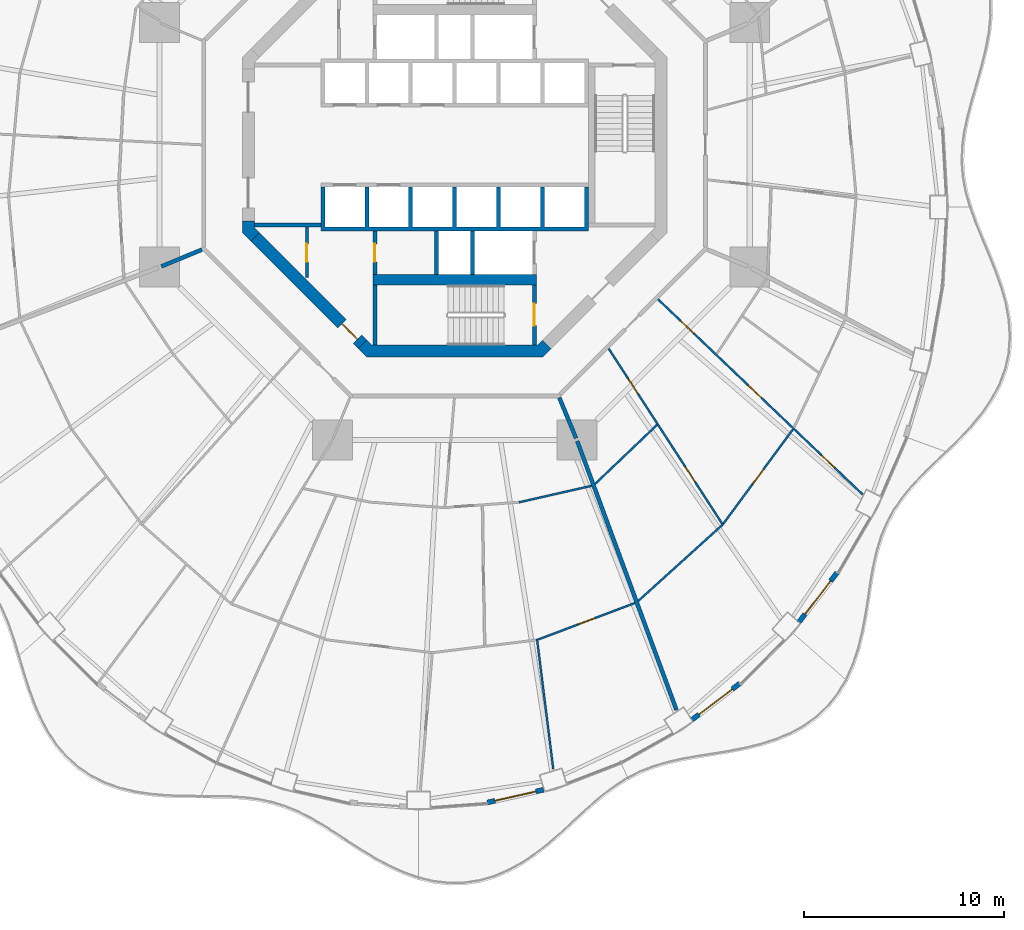
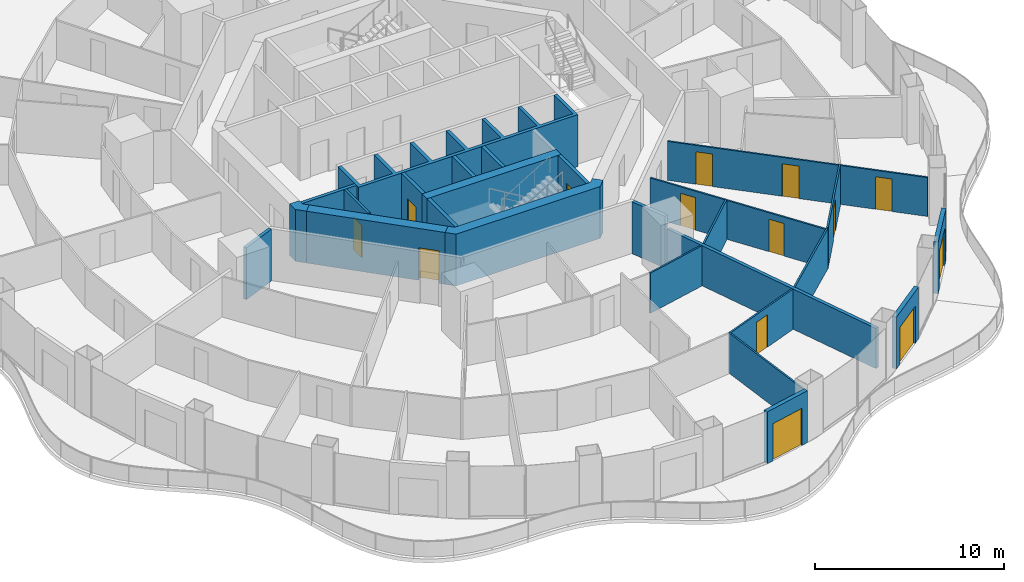
# One storey, part 14 of 21: 26 walls, 14 doors, 14 openings.
"""IFC4 building model written with IfcOpenShell, lengths in metres."""

from ifc_helpers import new_model, si_unit, direction, frame, frame_2d, origin, place, context, subcontext, project, spatial, polyline, rectangle, outline, extrude, material, layer, layer_set, type_object, element, fill, save


model = new_model("IFC4")

# Units and contexts
model_context = context("Model", 3, precision=1e-05, world=origin(), true_north=direction((0.0, 1.0)))
body_context = subcontext(model_context, "Body", "Model", "MODEL_VIEW")
ifc_project = project(units=[si_unit("LENGTHUNIT", "METRE"), si_unit("AREAUNIT", "SQUARE_METRE"), si_unit("VOLUMEUNIT", "CUBIC_METRE"), si_unit("PLANEANGLEUNIT", "RADIAN"), si_unit("MASSUNIT", "GRAM", prefix="KILO")], contexts=[model_context])

# Site, building, storey
site_placement = place(None, origin())
site = spatial("IfcSite", under=ifc_project, at=site_placement, CompositionType="ELEMENT")
building_placement = place(site_placement, origin())
building = spatial("IfcBuilding", under=site, at=building_placement, Name="Nagisa Residences", CompositionType="ELEMENT")
storey_placement = place(building_placement, frame((0.0, 0.0, 156.60009765625)))
storey = spatial("IfcBuildingStorey", under=building, at=storey_placement, Name="L39", CompositionType="ELEMENT", Elevation=156.60009765625)

# Walls
ifc_material_1 = material(Name="Gypsum board on steel studs", Category="steel")
ifc_layer_1 = layer(ifc_material_1, 0.199951171875)
ifc_layer_set_1 = layer_set([ifc_layer_1], Name="Apartment compartment wall EI60 200")
wall_type_1 = type_object("IfcWallType", Name="Apartment compartment wall EI60 200", PredefinedType="PARTITIONING", material=ifc_layer_set_1)
for number, where, z_axis, x_axis, name in (
    (1, (-12.6572265625, -5.24267578125, 0.0), (0.0, 0.0, 1.0), (-0.923859888513, -0.38273085373, 0.0), "wall:L39:u06"),
    (2, (5.24267578125, -12.6572265625, 0.0), (0.0, 0.0, 1.0), (0.38273085373, -0.923859888513, 0.0), "wall:L39:u08"),
):
    element("IfcWall", number, at=place(storey_placement, frame(where, z_axis=z_axis, x_axis=x_axis)), inside=storey, type_object=wall_type_1, Name=name, PredefinedType="PARTITIONING", context=body_context, shape_type="SweptSolid", body=[
        extrude(rectangle(XDim=2.199462890625, YDim=0.199951171875, at=frame_2d((1.099609375, 0.0))), origin(), (0.0, 0.0, 1.0), 3.349853515625),
    ])
wall_1_placement = place(storey_placement, frame((6.14013671875, -14.8291015625, 0.0), z_axis=(0.0, 0.0, 1.0), x_axis=(0.346169582481, -0.938171956608, 0.0)))
element("IfcWall", 3, at=wall_1_placement, inside=storey, type_object=wall_type_1, Name="wall:L39:u09", PredefinedType="PARTITIONING", context=body_context, shape_type="SweptSolid", body=[
    extrude(rectangle(XDim=14.353515625, YDim=0.199951171875, at=frame_2d((7.1767578125, 0.0))), origin(), (0.0, 0.0, 1.0), 2.596923828125),
])
ifc_material_2 = material(Name="Gypsum board on steel studs", Category="steel")
ifc_layer_2 = layer(ifc_material_2, 0.10009765625)
ifc_layer_set_2 = layer_set([ifc_layer_2], Name="Apartment partition 100")
wall_type_2 = type_object("IfcWallType", Name="Apartment partition 100", PredefinedType="PARTITIONING", material=ifc_layer_set_2)
wall_2_placement = place(storey_placement, frame((3.21923828125, -17.89990234375, 0.0), z_axis=(0.0, 0.0, 1.0), x_axis=(0.975106528652, 0.22173691118, 0.0)))
element("IfcWall", 4, at=wall_2_placement, inside=storey, type_object=wall_type_2, Name="wall:L39:u80", PredefinedType="PARTITIONING", context=body_context, shape_type="SweptSolid", body=[
    extrude(rectangle(XDim=3.73583984375, YDim=0.10009765625, at=frame_2d((1.867919921875, 0.0))), origin(), (0.0, 0.0, 1.0), 2.596923828125),
])
wall_3_placement = place(storey_placement, frame((4.124755859375, -24.740966796875, 0.0), z_axis=(0.0, 0.0, 1.0), x_axis=(0.124066794607, -0.992273868685, 0.0)))
element("IfcWall", 5, at=wall_3_placement, inside=storey, type_object=wall_type_2, Name="wall:L39:u81", PredefinedType="PARTITIONING", context=body_context, shape_type="SweptSolid", body=[
    extrude(rectangle(XDim=6.560791015625, YDim=0.10009765625, at=frame_2d((3.2802734375, 0.0))), origin(), (0.0, 0.0, 1.0), 2.596923828125),
])

# Wall, opening, door
wall_4_placement = place(storey_placement, frame((4.177734375, -24.77294921875, 0.0), z_axis=(0.0, 0.0, 1.0), x_axis=(0.935583811437, 0.353104703702, 0.0)))
wall_4 = element("IfcWall", 6, at=wall_4_placement, inside=storey, type_object=wall_type_2, Name="wall:L39:u82", PredefinedType="PARTITIONING", context=body_context, shape_type="SweptSolid", body=[
    extrude(rectangle(XDim=5.18359375, YDim=0.10009765625, at=frame_2d((2.591796875, 0.0))), origin(), (0.0, 0.0, 1.0), 2.596923828125),
])
opening_1_placement = place(wall_4_placement, frame((2.141845703125, 0.0, 0.0)))
opening_1 = element("IfcOpeningElement", 7, at=opening_1_placement, cuts=wall_4, Name="Opening L39-U58", PredefinedType="OPENING", context=body_context, shape_type="SweptSolid", body=[
    extrude(rectangle(XDim=0.89990234375, YDim=2.10009765625, at=frame_2d((0.449951171875, 1.050048828125))), frame((0.0, 0.06005859375, 0.0), z_axis=(0.0, -1.0, 0.0), x_axis=(1.0, 0.0, 0.0)), (0.0, 0.0, 1.0), 0.1201171875),
])
ifc_material_3 = material(Name="Timber door set", Category="wood")
door_type_1 = type_object("IfcDoorType", Name="Apartment door 900x2100", OperationType="NOTDEFINED", PredefinedType="DOOR", material=ifc_material_3)
door_1_placement = place(opening_1_placement, frame((0.89990234375, 0.0, 0.0), x_axis=(-1.0, 0.0, 0.0)))
door_1 = element("IfcDoor", 8, at=door_1_placement, inside=storey, type_object=door_type_1, Name="Door to kitchen, Apartment 39F", OperationType="SINGLE_SWING_LEFT", OverallHeight=2.10009765625, OverallWidth=0.89990234375, PredefinedType="DOOR", context=body_context, shape_type="SweptSolid", body=[
    extrude(rectangle(XDim=0.89990234375, YDim=2.10009765625, at=frame_2d((0.449951171875, 1.050048828125))), frame((0.0, 0.02490234375, 0.0), z_axis=(0.0, -1.0, 0.0), x_axis=(1.0, 0.0, 0.0)), (0.0, 0.0, 1.0), 0.050048828125),
])
fill(opening_1, door_1)

# Walls
wall_5_placement = place(storey_placement, frame((7.031982421875, -16.98046875, 0.0), z_axis=(0.0, 0.0, 1.0), x_axis=(0.723709759148, 0.690104473622, 0.0)))
element("IfcWall", 9, at=wall_5_placement, inside=storey, type_object=wall_type_2, Name="wall:L39:u83", PredefinedType="PARTITIONING", context=body_context, shape_type="SweptSolid", body=[
    extrude(rectangle(XDim=4.286376953125, YDim=0.10009765625, at=frame_2d((2.14306640625, 0.0))), origin(), (0.0, 0.0, 1.0), 2.596923828125),
])
wall_6_placement = place(storey_placement, frame((9.195068359375, -22.84033203125, 0.0), z_axis=(0.0, 0.0, 1.0), x_axis=(0.741675855479, 0.670758470241, 0.0)))
element("IfcWall", 10, at=wall_6_placement, inside=storey, type_object=wall_type_2, Name="wall:L39:u84", PredefinedType="PARTITIONING", context=body_context, shape_type="SweptSolid", body=[
    extrude(rectangle(XDim=5.65625, YDim=0.10009765625, at=frame_2d((2.828125, 0.0))), origin(), (0.0, 0.0, 1.0), 2.596923828125),
])

# Wall, openings, doors
wall_7_placement = place(storey_placement, frame((7.71240234375, -10.1953125, 0.0), z_axis=(0.0, 0.0, 1.0), x_axis=(0.543868615753, -0.839170381269, 0.0)))
wall_7 = element("IfcWall", 11, at=wall_7_placement, inside=storey, type_object=wall_type_2, Name="wall:L39:u85", PredefinedType="PARTITIONING", context=body_context, shape_type="SweptSolid", body=[
    extrude(rectangle(XDim=10.5576171875, YDim=0.10009765625, at=frame_2d((5.27880859375, 0.0))), origin(), (0.0, 0.0, 1.0), 2.514892578125),
])
opening_2_placement = place(wall_7_placement, frame((1.809814453125, 0.0, 0.0)))
opening_2 = element("IfcOpeningElement", 12, at=opening_2_placement, cuts=wall_7, Name="Opening L39-U02", PredefinedType="OPENING", context=body_context, shape_type="SweptSolid", body=[
    extrude(rectangle(XDim=0.89990234375, YDim=2.10009765625, at=frame_2d((0.449951171875, 1.050048828125))), frame((0.0, 0.06005859375, 0.0), z_axis=(0.0, -1.0, 0.0), x_axis=(1.0, 0.0, 0.0)), (0.0, 0.0, 1.0), 0.1201171875),
])
opening_3_placement = place(wall_7_placement, frame((7.063720703125, 0.0, 0.0)))
opening_3 = element("IfcOpeningElement", 13, at=opening_3_placement, cuts=wall_7, Name="Opening L39-U04", PredefinedType="OPENING", context=body_context, shape_type="SweptSolid", body=[
    extrude(rectangle(XDim=0.89990234375, YDim=2.10009765625, at=frame_2d((0.449951171875, 1.050048828125))), frame((0.0, 0.06005859375, 0.0), z_axis=(0.0, -1.0, 0.0), x_axis=(1.0, 0.0, 0.0)), (0.0, 0.0, 1.0), 0.1201171875),
])
door_2_placement = place(opening_2_placement, frame((0.89990234375, 0.0, 0.0), x_axis=(-1.0, 0.0, 0.0)))
door_2 = element("IfcDoor", 14, at=door_2_placement, inside=storey, type_object=door_type_1, Name="Door to laundry, Apartment 39A", OperationType="SINGLE_SWING_LEFT", OverallHeight=2.10009765625, OverallWidth=0.89990234375, PredefinedType="DOOR", context=body_context, shape_type="SweptSolid", body=[
    extrude(rectangle(XDim=0.89990234375, YDim=2.10009765625, at=frame_2d((0.449951171875, 1.050048828125))), frame((0.0, 0.02490234375, 0.0), z_axis=(0.0, -1.0, 0.0), x_axis=(1.0, 0.0, 0.0)), (0.0, 0.0, 1.0), 0.050048828125),
])
fill(opening_2, door_2)
door_3_placement = place(opening_3_placement, frame((0.89990234375, 0.0, 0.0), x_axis=(-1.0, 0.0, 0.0)))
door_3 = element("IfcDoor", 15, at=door_3_placement, inside=storey, type_object=door_type_1, Name="Door to kitchen, Apartment 39A", OperationType="SINGLE_SWING_LEFT", OverallHeight=2.10009765625, OverallWidth=0.89990234375, PredefinedType="DOOR", context=body_context, shape_type="SweptSolid", body=[
    extrude(rectangle(XDim=0.89990234375, YDim=2.10009765625, at=frame_2d((0.449951171875, 1.050048828125))), frame((0.0, 0.02490234375, 0.0), z_axis=(0.0, -1.0, 0.0), x_axis=(1.0, 0.0, 0.0)), (0.0, 0.0, 1.0), 0.050048828125),
])
fill(opening_3, door_3)

# Wall, opening, door
wall_8_placement = place(storey_placement, frame((13.456787109375, -18.97265625, 0.0), z_axis=(0.0, 0.0, 1.0), x_axis=(0.593532053206, 0.80481035146, 0.0)))
wall_8 = element("IfcWall", 16, at=wall_8_placement, inside=storey, type_object=wall_type_2, Name="wall:L39:u86", PredefinedType="PARTITIONING", context=body_context, shape_type="SweptSolid", body=[
    extrude(rectangle(XDim=5.8759765625, YDim=0.10009765625, at=frame_2d((2.93798828125, 0.0))), origin(), (0.0, 0.0, 1.0), 2.596923828125),
])
opening_4_placement = place(wall_8_placement, frame((2.48779296875, 0.0, 0.0)))
opening_4 = element("IfcOpeningElement", 17, at=opening_4_placement, cuts=wall_8, Name="Opening L39-U06", PredefinedType="OPENING", context=body_context, shape_type="SweptSolid", body=[
    extrude(rectangle(XDim=0.89990234375, YDim=2.10009765625, at=frame_2d((0.449951171875, 1.050048828125))), frame((0.0, 0.06005859375, 0.0), z_axis=(0.0, -1.0, 0.0), x_axis=(1.0, 0.0, 0.0)), (0.0, 0.0, 1.0), 0.1201171875),
])
door_4_placement = place(opening_4_placement, frame((0.89990234375, 0.0, 0.0), x_axis=(-1.0, 0.0, 0.0)))
door_4 = element("IfcDoor", 18, at=door_4_placement, inside=storey, type_object=door_type_1, Name="Door to family room, Apartment 39A", OperationType="SINGLE_SWING_LEFT", OverallHeight=2.10009765625, OverallWidth=0.89990234375, PredefinedType="DOOR", context=body_context, shape_type="SweptSolid", body=[
    extrude(rectangle(XDim=0.89990234375, YDim=2.10009765625, at=frame_2d((0.449951171875, 1.050048828125))), frame((0.0, 0.02490234375, 0.0), z_axis=(0.0, -1.0, 0.0), x_axis=(1.0, 0.0, 0.0)), (0.0, 0.0, 1.0), 0.050048828125),
])
fill(opening_4, door_4)

# Wall, openings, doors
wall_9_placement = place(storey_placement, frame((10.18359375, -7.72705078125, 0.0), z_axis=(0.0, 0.0, 1.0), x_axis=(0.723635100101, -0.690182759783, 0.0)))
wall_9 = element("IfcWall", 19, at=wall_9_placement, inside=storey, type_object=wall_type_2, Name="wall:L39:u87", PredefinedType="PARTITIONING", context=body_context, shape_type="SweptSolid", body=[
    extrude(rectangle(XDim=14.173095703125, YDim=0.10009765625, at=frame_2d((7.08642578125, 0.0))), origin(), (0.0, 0.0, 1.0), 2.514892578125),
])
opening_5_placement = place(wall_9_placement, frame((1.56494140625, 0.0, 0.0)))
opening_5 = element("IfcOpeningElement", 20, at=opening_5_placement, cuts=wall_9, Name="Opening L39-U03", PredefinedType="OPENING", context=body_context, shape_type="SweptSolid", body=[
    extrude(rectangle(XDim=0.89990234375, YDim=2.10009765625, at=frame_2d((0.449951171875, 1.050048828125))), frame((0.0, 0.06005859375, 0.0), z_axis=(0.0, -1.0, 0.0), x_axis=(1.0, 0.0, 0.0)), (0.0, 0.0, 1.0), 0.1201171875),
])
opening_6_placement = place(wall_9_placement, frame((6.2568359375, 0.0, 0.0)))
opening_6 = element("IfcOpeningElement", 21, at=opening_6_placement, cuts=wall_9, Name="Opening L39-U05", PredefinedType="OPENING", context=body_context, shape_type="SweptSolid", body=[
    extrude(rectangle(XDim=0.89990234375, YDim=2.10009765625, at=frame_2d((0.449951171875, 1.050048828125))), frame((0.0, 0.06005859375, 0.0), z_axis=(0.0, -1.0, 0.0), x_axis=(1.0, 0.0, 0.0)), (0.0, 0.0, 1.0), 0.1201171875),
])
opening_7_placement = place(wall_9_placement, frame((11.328369140625, 0.0, 0.0)))
opening_7 = element("IfcOpeningElement", 22, at=opening_7_placement, cuts=wall_9, Name="Opening L39-U07", PredefinedType="OPENING", context=body_context, shape_type="SweptSolid", body=[
    extrude(rectangle(XDim=0.89990234375, YDim=2.10009765625, at=frame_2d((0.449951171875, 1.050048828125))), frame((0.0, 0.06005859375, 0.0), z_axis=(0.0, -1.0, 0.0), x_axis=(1.0, 0.0, 0.0)), (0.0, 0.0, 1.0), 0.1201171875),
])
door_5_placement = place(opening_5_placement, origin())
door_5 = element("IfcDoor", 23, at=door_5_placement, inside=storey, type_object=door_type_1, Name="Door to store, Apartment 39A", OperationType="SINGLE_SWING_LEFT", OverallHeight=2.10009765625, OverallWidth=0.89990234375, PredefinedType="DOOR", context=body_context, shape_type="SweptSolid", body=[
    extrude(rectangle(XDim=0.89990234375, YDim=2.10009765625, at=frame_2d((0.449951171875, 1.050048828125))), frame((0.0, 0.02490234375, 0.0), z_axis=(0.0, -1.0, 0.0), x_axis=(1.0, 0.0, 0.0)), (0.0, 0.0, 1.0), 0.050048828125),
])
fill(opening_5, door_5)
door_6_placement = place(opening_6_placement, origin())
door_6 = element("IfcDoor", 24, at=door_6_placement, inside=storey, type_object=door_type_1, Name="Door to family bathroom, Apartment 39A", OperationType="SINGLE_SWING_LEFT", OverallHeight=2.10009765625, OverallWidth=0.89990234375, PredefinedType="DOOR", context=body_context, shape_type="SweptSolid", body=[
    extrude(rectangle(XDim=0.89990234375, YDim=2.10009765625, at=frame_2d((0.449951171875, 1.050048828125))), frame((0.0, 0.02490234375, 0.0), z_axis=(0.0, -1.0, 0.0), x_axis=(1.0, 0.0, 0.0)), (0.0, 0.0, 1.0), 0.050048828125),
])
fill(opening_6, door_6)
door_7_placement = place(opening_7_placement, origin())
door_7 = element("IfcDoor", 25, at=door_7_placement, inside=storey, type_object=door_type_1, Name="Door to master bedroom, Apartment 39A", OperationType="SINGLE_SWING_LEFT", OverallHeight=2.10009765625, OverallWidth=0.89990234375, PredefinedType="DOOR", context=body_context, shape_type="SweptSolid", body=[
    extrude(rectangle(XDim=0.89990234375, YDim=2.10009765625, at=frame_2d((0.449951171875, 1.050048828125))), frame((0.0, 0.02490234375, 0.0), z_axis=(0.0, -1.0, 0.0), x_axis=(1.0, 0.0, 0.0)), (0.0, 0.0, 1.0), 0.050048828125),
])
fill(opening_7, door_7)

# Wall, opening, door
ifc_material_4 = material(Name="Precast concrete C40/50", Category="concrete")
ifc_layer_3 = layer(ifc_material_4, 0.25)
ifc_layer_set_3 = layer_set([ifc_layer_3], Name="BALCONY DOOR WALL 250")
wall_type_3 = type_object("IfcWallType", Name="BALCONY DOOR WALL 250", PredefinedType="SOLIDWALL", material=ifc_layer_set_3)
wall_10_placement = place(storey_placement, frame((4.455078125, -32.29443359375, 0.0), z_axis=(0.0, 0.0, 1.0), x_axis=(-0.975339035722, -0.220711951186, 0.0)))
wall_10 = element("IfcWall", 26, at=wall_10_placement, inside=storey, type_object=wall_type_3, Name="wall:L39:bay37", PredefinedType="SOLIDWALL", context=body_context, shape_type="SweptSolid", body=[
    extrude(rectangle(XDim=2.890380859375, YDim=0.25, at=frame_2d((1.4453125, 0.0))), origin(), (0.0, 0.0, 1.0), 3.349853515625),
])
opening_8_placement = place(wall_10_placement, frame((0.395263671875, 0.0, 0.0)))
opening_8 = element("IfcOpeningElement", 27, at=opening_8_placement, cuts=wall_10, Name="Opening BD-L39-13", PredefinedType="OPENING", context=body_context, shape_type="SweptSolid", body=[
    extrude(rectangle(XDim=2.10009765625, YDim=2.39990234375, at=frame_2d((1.050048828125, 1.199951171875))), frame((0.0, 0.135009765625, 0.0), z_axis=(0.0, -1.0, 0.0), x_axis=(1.0, 0.0, 0.0)), (0.0, 0.0, 1.0), 0.27001953125),
])
ifc_material_5 = material(Name="Aluminium and clear glass", Category="aluminium")
door_type_2 = type_object("IfcDoorType", Name="BALCONY SLIDING DOOR 2100x2400", OperationType="SLIDING_TO_LEFT", PredefinedType="DOOR", material=ifc_material_5)
door_8_placement = place(opening_8_placement, origin())
door_8 = element("IfcDoor", 28, at=door_8_placement, inside=storey, type_object=door_type_2, Name="door:L39:bay37", OperationType="SLIDING_TO_LEFT", OverallHeight=2.39990234375, OverallWidth=2.10009765625, PredefinedType="DOOR", context=body_context, shape_type="SweptSolid", body=[
    extrude(rectangle(XDim=2.10009765625, YDim=2.39990234375, at=frame_2d((1.050048828125, 1.199951171875))), frame((0.0, 0.02490234375, 0.0), z_axis=(0.0, -1.0, 0.0), x_axis=(1.0, 0.0, 0.0)), (0.0, 0.0, 1.0), 0.050048828125),
])
fill(opening_8, door_8)

wall_11_placement = place(storey_placement, frame((14.27783203125, -26.973388671875, 0.0), z_axis=(0.0, 0.0, 1.0), x_axis=(-0.796022231079, -0.605267385233, 0.0)))
wall_11 = element("IfcWall", 29, at=wall_11_placement, inside=storey, type_object=wall_type_3, Name="wall:L39:bay40", PredefinedType="SOLIDWALL", context=body_context, shape_type="SweptSolid", body=[
    extrude(rectangle(XDim=3.025634765625, YDim=0.25, at=frame_2d((1.5126953125, 0.0))), origin(), (0.0, 0.0, 1.0), 3.349853515625),
])
opening_9_placement = place(wall_11_placement, frame((0.462646484375, 0.0, 0.0)))
opening_9 = element("IfcOpeningElement", 30, at=opening_9_placement, cuts=wall_11, Name="Opening BD-L39-14", PredefinedType="OPENING", context=body_context, shape_type="SweptSolid", body=[
    extrude(rectangle(XDim=2.10009765625, YDim=2.39990234375, at=frame_2d((1.050048828125, 1.199951171875))), frame((0.0, 0.135009765625, 0.0), z_axis=(0.0, -1.0, 0.0), x_axis=(1.0, 0.0, 0.0)), (0.0, 0.0, 1.0), 0.27001953125),
])
door_9_placement = place(opening_9_placement, origin())
door_9 = element("IfcDoor", 31, at=door_9_placement, inside=storey, type_object=door_type_2, Name="door:L39:bay40", OperationType="SLIDING_TO_LEFT", OverallHeight=2.39990234375, OverallWidth=2.10009765625, PredefinedType="DOOR", context=body_context, shape_type="SweptSolid", body=[
    extrude(rectangle(XDim=2.10009765625, YDim=2.39990234375, at=frame_2d((1.050048828125, 1.199951171875))), frame((0.0, 0.02490234375, 0.0), z_axis=(0.0, -1.0, 0.0), x_axis=(1.0, 0.0, 0.0)), (0.0, 0.0, 1.0), 0.050048828125),
])
fill(opening_9, door_9)

wall_12_placement = place(storey_placement, frame((19.152587890625, -21.4228515625, 0.0), z_axis=(0.0, 0.0, 1.0), x_axis=(-0.610429847179, -0.792070326217, 0.0)))
wall_12 = element("IfcWall", 32, at=wall_12_placement, inside=storey, type_object=wall_type_3, Name="wall:L39:bay42", PredefinedType="SOLIDWALL", context=body_context, shape_type="SweptSolid", body=[
    extrude(rectangle(XDim=3.149169921875, YDim=0.25, at=frame_2d((1.57470703125, 0.0))), origin(), (0.0, 0.0, 1.0), 3.349853515625),
])
opening_10_placement = place(wall_12_placement, frame((0.524658203125, 0.0, 0.0)))
opening_10 = element("IfcOpeningElement", 33, at=opening_10_placement, cuts=wall_12, Name="Opening BD-L39-15", PredefinedType="OPENING", context=body_context, shape_type="SweptSolid", body=[
    extrude(rectangle(XDim=2.10009765625, YDim=2.39990234375, at=frame_2d((1.050048828125, 1.199951171875))), frame((0.0, 0.135009765625, 0.0), z_axis=(0.0, -1.0, 0.0), x_axis=(1.0, 0.0, 0.0)), (0.0, 0.0, 1.0), 0.27001953125),
])
door_10_placement = place(opening_10_placement, origin())
door_10 = element("IfcDoor", 34, at=door_10_placement, inside=storey, type_object=door_type_2, Name="door:L39:bay42", OperationType="SLIDING_TO_LEFT", OverallHeight=2.39990234375, OverallWidth=2.10009765625, PredefinedType="DOOR", context=body_context, shape_type="SweptSolid", body=[
    extrude(rectangle(XDim=2.10009765625, YDim=2.39990234375, at=frame_2d((1.050048828125, 1.199951171875))), frame((0.0, 0.02490234375, 0.0), z_axis=(0.0, -1.0, 0.0), x_axis=(1.0, 0.0, 0.0)), (0.0, 0.0, 1.0), 0.050048828125),
])
fill(opening_10, door_10)

ifc_material_6 = material(Name="Gypsum board on steel studs", Category="steel")
ifc_layer_4 = layer(ifc_material_6, 0.14990234375)
ifc_layer_set_4 = layer_set([ifc_layer_4], Name="Core partition 150")
wall_type_4 = type_object("IfcWallType", Name="Core partition 150", PredefinedType="PARTITIONING", material=ifc_layer_set_4)
wall_13_placement = place(storey_placement, frame((-7.39990234375, -6.626953125, 0.0), z_axis=(0.0, 0.0, 1.0), x_axis=(0.0, 1.0, 0.0)))
wall_13 = element("IfcWall", 35, at=wall_13_placement, inside=storey, type_object=wall_type_4, Name="wall:L39:SWp", PredefinedType="PARTITIONING", context=body_context, shape_type="SweptSolid", body=[
    extrude(rectangle(XDim=2.52685546875, YDim=0.14990234375, at=frame_2d((1.263427734375, 0.0))), origin(), (0.0, 0.0, 1.0), 3.349853515625),
])
opening_11_placement = place(wall_13_placement, frame((0.77587890625, 0.0, 0.0)))
opening_11 = element("IfcOpeningElement", 36, at=opening_11_placement, cuts=wall_13, Name="Opening L39-C13", PredefinedType="OPENING", context=body_context, shape_type="SweptSolid", body=[
    extrude(rectangle(XDim=0.89990234375, YDim=2.10009765625, at=frame_2d((0.449951171875, 1.050048828125))), frame((0.0, 0.0849609375, 0.0), z_axis=(0.0, -1.0, 0.0), x_axis=(1.0, 0.0, 0.0)), (0.0, 0.0, 1.0), 0.169921875),
])
ifc_material_7 = material(Name="Steel fire door", Category="steel")
door_type_3 = type_object("IfcDoorType", Name="Fire door EI30 900x2100 single swing", OperationType="NOTDEFINED", PredefinedType="DOOR", material=ifc_material_7)
door_11_placement = place(opening_11_placement, origin())
door_11 = element("IfcDoor", 37, at=door_11_placement, inside=storey, type_object=door_type_3, Name="Valet store door L39", OperationType="SINGLE_SWING_LEFT", OverallHeight=2.10009765625, OverallWidth=0.89990234375, PredefinedType="DOOR", context=body_context, shape_type="SweptSolid", body=[
    extrude(rectangle(XDim=0.89990234375, YDim=2.10009765625, at=frame_2d((0.449951171875, 1.050048828125))), frame((0.0, 0.02490234375, 0.0), z_axis=(0.0, -1.0, 0.0), x_axis=(1.0, 0.0, 0.0)), (0.0, 0.0, 1.0), 0.050048828125),
])
fill(opening_11, door_11)

# Wall
ifc_material_8 = material(Name="Gypsum board on steel studs", Category="steel")
ifc_layer_5 = layer(ifc_material_8, 0.199951171875)
ifc_layer_set_5 = layer_set([ifc_layer_5], Name="Core partition 200")
wall_type_5 = type_object("IfcWallType", Name="Core partition 200", PredefinedType="PARTITIONING", material=ifc_layer_set_5)
wall_14_placement = place(storey_placement, frame((-10.024658203125, -4.0, 0.0), z_axis=(0.0, 0.0, 1.0), x_axis=(1.0, 0.0, 0.0)))
element("IfcWall", 38, at=wall_14_placement, inside=storey, type_object=wall_type_5, Name="wall:L39:PSW", PredefinedType="PARTITIONING", context=body_context, shape_type="SweptSolid", body=[
    extrude(rectangle(XDim=3.32470703125, YDim=0.199951171875, at=frame_2d((1.662353515625, 0.0))), origin(), (0.0, 0.0, 1.0), 3.349853515625),
])

# Wall, opening, door
ifc_material_9 = material(Name="Concrete C60", Category="concrete")
ifc_layer_6 = layer(ifc_material_9, 0.60009765625)
ifc_layer_set_6 = layer_set([ifc_layer_6], Name="Core shear wall 600")
wall_type_6 = type_object("IfcWallType", Name="Core shear wall 600", PredefinedType="SHEAR", material=ifc_layer_set_6)
wall_15_placement = place(storey_placement, frame((-9.98828125, -4.613037109375, 0.0), z_axis=(0.0, 0.0, 1.0), x_axis=(0.707106781187, -0.707106781187, 0.0)))
wall_15 = element("IfcWall", 39, at=wall_15_placement, inside=storey, type_object=wall_type_6, Name="wall:L39:core:flat5", PredefinedType="SHEAR", context=body_context, shape_type="SweptSolid", body=[
    extrude(rectangle(XDim=7.601806640625, YDim=0.60009765625, at=frame_2d((3.80078125, 0.0))), origin(), (0.0, 0.0, 1.0), 3.349853515625),
])
opening_12_placement = place(wall_15_placement, frame((6.15087890625, 0.0, 0.0)))
opening_12 = element("IfcOpeningElement", 40, at=opening_12_placement, cuts=wall_15, Name="Opening L39-C20", PredefinedType="OPENING", context=body_context, shape_type="SweptSolid", body=[
    extrude(rectangle(XDim=1.10009765625, YDim=2.10009765625, at=frame_2d((0.550048828125, 1.050048828125))), frame((0.0, 0.31005859375, 0.0), z_axis=(0.0, -1.0, 0.0), x_axis=(1.0, 0.0, 0.0)), (0.0, 0.0, 1.0), 0.6201171875),
])
ifc_material_10 = material(Name="Steel fire door", Category="steel")
door_type_4 = type_object("IfcDoorType", Name="Fire door EI60 1100x2100 single swing", OperationType="NOTDEFINED", PredefinedType="DOOR", material=ifc_material_10)
door_12_placement = place(opening_12_placement, origin())
door_12 = element("IfcDoor", 41, at=door_12_placement, inside=storey, type_object=door_type_4, Name="Housekeeping lobby door L39", OperationType="SINGLE_SWING_LEFT", OverallHeight=2.10009765625, OverallWidth=1.10009765625, PredefinedType="DOOR", context=body_context, shape_type="SweptSolid", body=[
    extrude(rectangle(XDim=1.10009765625, YDim=2.10009765625, at=frame_2d((0.550048828125, 1.050048828125))), frame((0.0, 0.02490234375, 0.0), z_axis=(0.0, -1.0, 0.0), x_axis=(1.0, 0.0, 0.0)), (0.0, 0.0, 1.0), 0.050048828125),
])
fill(opening_12, door_12)

# Walls
wall_16_placement = place(storey_placement, origin())
element("IfcWall", 42, at=wall_16_placement, inside=storey, type_object=wall_type_6, Name="wall:L39:core:pier4", PredefinedType="SHEAR", context=body_context, shape_type="SweptSolid", body=[
    extrude(outline(polyline([(-10.62451171875, -3.80078125), (-10.024658203125, -3.80078125), (-10.024658203125, -4.15234375), (-9.776123046875, -4.40087890625), (-10.200439453125, -4.8251953125), (-10.62451171875, -4.40087890625), (-10.62451171875, -3.80078125)])), origin(), (0.0, 0.0, 1.0), 3.349853515625),
])
wall_17_placement = place(storey_placement, origin())
element("IfcWall", 43, at=wall_17_placement, inside=storey, type_object=wall_type_6, Name="wall:L39:core:flat6", PredefinedType="SHEAR", context=body_context, shape_type="SweptSolid", body=[
    extrude(outline(polyline([(-4.15234375, -10.024658203125), (4.15234375, -10.024658203125), (4.40087890625, -9.776123046875), (4.8251953125, -10.200439453125), (4.40087890625, -10.62451171875), (-4.40087890625, -10.62451171875), (-4.8251953125, -10.200439453125), (-4.40087890625, -9.776123046875), (-4.15234375, -10.024658203125)])), origin(), (0.0, 0.0, 1.0), 3.349853515625),
])

# Wall, opening, door
ifc_material_11 = material(Name="Concrete C60", Category="concrete")
ifc_layer_7 = layer(ifc_material_11, 0.199951171875)
ifc_layer_set_7 = layer_set([ifc_layer_7], Name="Lift shaft wall 200")
wall_type_7 = type_object("IfcWallType", Name="Lift shaft wall 200", PredefinedType="SOLIDWALL", material=ifc_layer_set_7)
wall_18_placement = place(storey_placement, frame((-4.0, -6.5, 0.0), z_axis=(0.0, 0.0, 1.0), x_axis=(0.0, 1.0, 0.0)))
wall_18 = element("IfcWall", 44, at=wall_18_placement, inside=storey, type_object=wall_type_7, Name="wall:L39:Sb4", PredefinedType="SOLIDWALL", context=body_context, shape_type="SweptSolid", body=[
    extrude(rectangle(XDim=2.199951171875, YDim=0.199951171875, at=frame_2d((1.10009765625, 0.0))), origin(), (0.0, 0.0, 1.0), 3.349853515625),
])
opening_13_placement = place(wall_18_placement, frame((0.64990234375, 0.0, 0.0)))
opening_13 = element("IfcOpeningElement", 45, at=opening_13_placement, cuts=wall_18, Name="Opening L39-C14", PredefinedType="OPENING", context=body_context, shape_type="SweptSolid", body=[
    extrude(rectangle(XDim=0.89990234375, YDim=2.10009765625, at=frame_2d((0.449951171875, 1.050048828125))), frame((0.0, 0.10986328125, 0.0), z_axis=(0.0, -1.0, 0.0), x_axis=(1.0, 0.0, 0.0)), (0.0, 0.0, 1.0), 0.219970703125),
])
door_13_placement = place(opening_13_placement, frame((0.89990234375, 0.0, 0.0), x_axis=(-1.0, 0.0, 0.0)))
door_13 = element("IfcDoor", 46, at=door_13_placement, inside=storey, type_object=door_type_3, Name="Refuse room door L39", OperationType="SINGLE_SWING_RIGHT", OverallHeight=2.10009765625, OverallWidth=0.89990234375, PredefinedType="DOOR", context=body_context, shape_type="SweptSolid", body=[
    extrude(rectangle(XDim=0.89990234375, YDim=2.10009765625, at=frame_2d((0.449951171875, 1.050048828125))), frame((0.0, 0.02490234375, 0.0), z_axis=(0.0, -1.0, 0.0), x_axis=(1.0, 0.0, 0.0)), (0.0, 0.0, 1.0), 0.050048828125),
])
fill(opening_13, door_13)

# Walls
for number, where, z_axis, x_axis, name in (
    (47, (-0.89990234375, -6.5, 0.0), (0.0, 0.0, 1.0), (0.0, 1.0, 0.0), "wall:L39:Sb1"),
    (48, (0.89990234375, -6.5, 0.0), (0.0, 0.0, 1.0), (0.0, 1.0, 0.0), "wall:L39:Sb2"),
):
    element("IfcWall", number, at=place(storey_placement, frame(where, z_axis=z_axis, x_axis=x_axis)), inside=storey, type_object=wall_type_7, Name=name, PredefinedType="SOLIDWALL", context=body_context, shape_type="SweptSolid", body=[
        extrude(rectangle(XDim=2.199951171875, YDim=0.199951171875, at=frame_2d((1.10009765625, 0.0))), origin(), (0.0, 0.0, 1.0), 3.349853515625),
    ])
wall_19_placement = place(storey_placement, origin())
element("IfcWall", 49, at=wall_19_placement, inside=storey, type_object=wall_type_7, Name="wall:L39:Sback", PredefinedType="SOLIDWALL", context=body_context, shape_type="SweptSolid", body=[
    extrude(outline(polyline([(-6.699951171875, -2.10009765625), (-6.5, -2.10009765625), (-6.5, -4.10009765625), (-4.5, -4.10009765625), (-4.5, -2.10009765625), (-4.300048828125, -2.10009765625), (-4.300048828125, -4.10009765625), (-2.300048828125, -4.10009765625), (-2.300048828125, -2.10009765625), (-2.10009765625, -2.10009765625), (-2.10009765625, -4.10009765625), (-0.10009765625, -4.10009765625), (-0.10009765625, -2.10009765625), (0.10009765625, -2.10009765625), (0.10009765625, -4.10009765625), (2.10009765625, -4.10009765625), (2.10009765625, -2.10009765625), (2.300048828125, -2.10009765625), (2.300048828125, -4.10009765625), (4.300048828125, -4.10009765625), (4.300048828125, -2.10009765625), (4.5, -2.10009765625), (4.5, -4.10009765625), (6.5, -4.10009765625), (6.5, -2.10009765625), (6.699951171875, -2.10009765625), (6.699951171875, -4.300048828125), (-6.699951171875, -4.300048828125), (-6.699951171875, -2.10009765625)])), origin(), (0.0, 0.0, 1.0), 3.349853515625),
])

# Wall, opening, door
ifc_material_12 = material(Name="Concrete C60", Category="concrete")
ifc_layer_8 = layer(ifc_material_12, 0.199951171875)
ifc_layer_set_8 = layer_set([ifc_layer_8], Name="Stair enclosure wall 200")
wall_type_8 = type_object("IfcWallType", Name="Stair enclosure wall 200", PredefinedType="SOLIDWALL", material=ifc_layer_set_8)
wall_20_placement = place(storey_placement, frame((4.0, -10.024658203125, 0.0), z_axis=(0.0, 0.0, 1.0), x_axis=(0.0, 1.0, 0.0)))
wall_20 = element("IfcWall", 50, at=wall_20_placement, inside=storey, type_object=wall_type_8, Name="wall:L39:SS_e", PredefinedType="SOLIDWALL", context=body_context, shape_type="SweptSolid", body=[
    extrude(rectangle(XDim=3.0, YDim=0.199951171875, at=frame_2d((1.5, 0.0))), origin(), (0.0, 0.0, 1.0), 3.349853515625),
])
opening_14_placement = place(wall_20_placement, frame((0.974609375, 0.0, 0.0)))
opening_14 = element("IfcOpeningElement", 51, at=opening_14_placement, cuts=wall_20, Name="Opening L39-C11", PredefinedType="OPENING", context=body_context, shape_type="SweptSolid", body=[
    extrude(rectangle(XDim=1.10009765625, YDim=2.10009765625, at=frame_2d((0.550048828125, 1.050048828125))), frame((0.0, 0.10986328125, 0.0), z_axis=(0.0, -1.0, 0.0), x_axis=(1.0, 0.0, 0.0)), (0.0, 0.0, 1.0), 0.219970703125),
])
ifc_material_13 = material(Name="Steel fire door", Category="steel")
door_type_5 = type_object("IfcDoorType", Name="Fire door EI90 1100x2100 single swing", OperationType="NOTDEFINED", PredefinedType="DOOR", material=ifc_material_13)
door_14_placement = place(opening_14_placement, origin())
door_14 = element("IfcDoor", 52, at=door_14_placement, inside=storey, type_object=door_type_5, Name="Stair door ST-S L39", OperationType="SINGLE_SWING_LEFT", OverallHeight=2.10009765625, OverallWidth=1.10009765625, PredefinedType="DOOR", context=body_context, shape_type="SweptSolid", body=[
    extrude(rectangle(XDim=1.10009765625, YDim=2.10009765625, at=frame_2d((0.550048828125, 1.050048828125))), frame((0.0, 0.02490234375, 0.0), z_axis=(0.0, -1.0, 0.0), x_axis=(1.0, 0.0, 0.0)), (0.0, 0.0, 1.0), 0.050048828125),
])
fill(opening_14, door_14)

# Walls
wall_21_placement = place(storey_placement, origin())
element("IfcWall", 53, at=wall_21_placement, inside=storey, type_object=wall_type_8, Name="wall:L39:SS_w", PredefinedType="SOLIDWALL", context=body_context, shape_type="SweptSolid", body=[
    extrude(outline(polyline([(-3.89990234375, -10.024658203125), (-4.10009765625, -10.024658203125), (-4.10009765625, -7.024658203125), (-3.89990234375, -7.024658203125), (-3.89990234375, -10.024658203125)])), origin(), (0.0, 0.0, 1.0), 3.349853515625),
])
wall_22_placement = place(storey_placement, origin())
element("IfcWall", 54, at=wall_22_placement, inside=storey, type_object=wall_type_8, Name="wall:L39:SS_n", PredefinedType="SOLIDWALL", context=body_context, shape_type="SweptSolid", body=[
    extrude(outline(polyline([(4.10009765625, -7.024658203125), (-4.10009765625, -7.024658203125), (-4.10009765625, -6.5), (4.10009765625, -6.5), (4.10009765625, -7.024658203125)])), origin(), (0.0, 0.0, 1.0), 3.349853515625),
])

save(model, "model.ifc")
